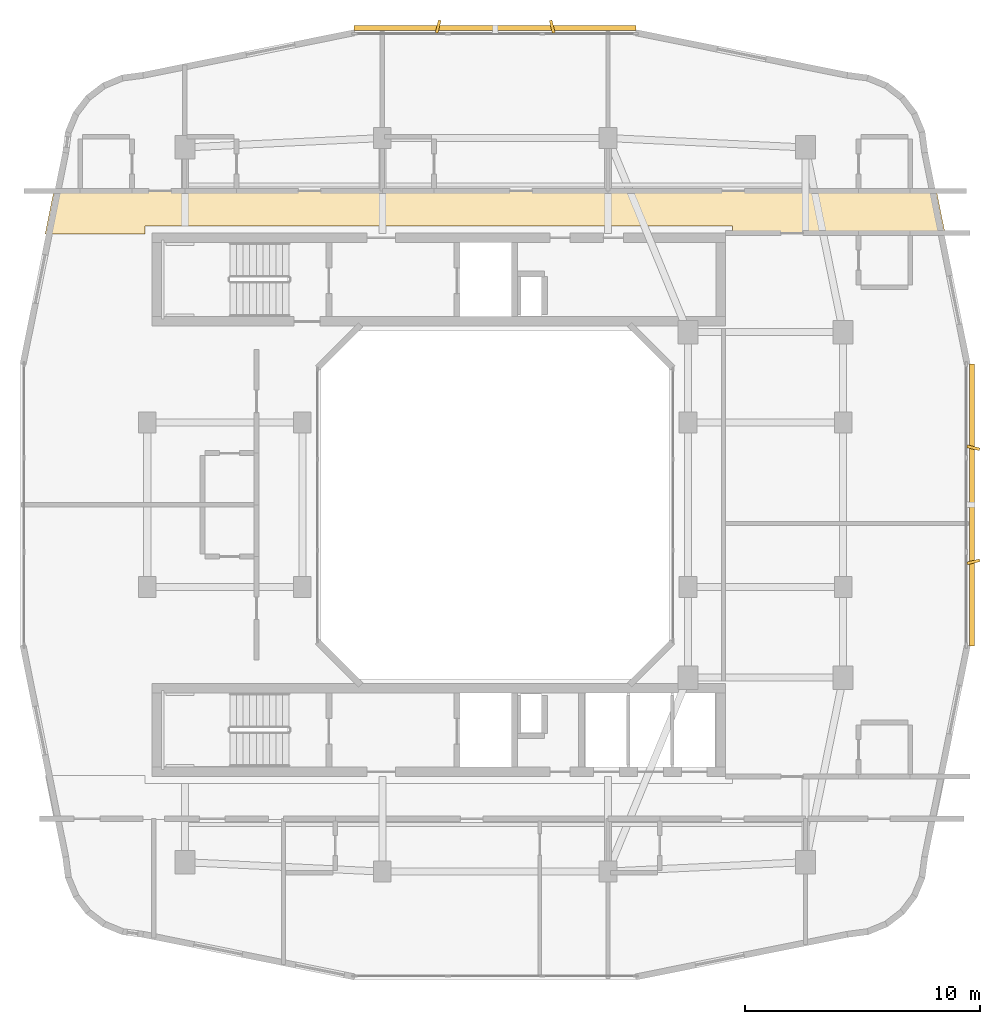
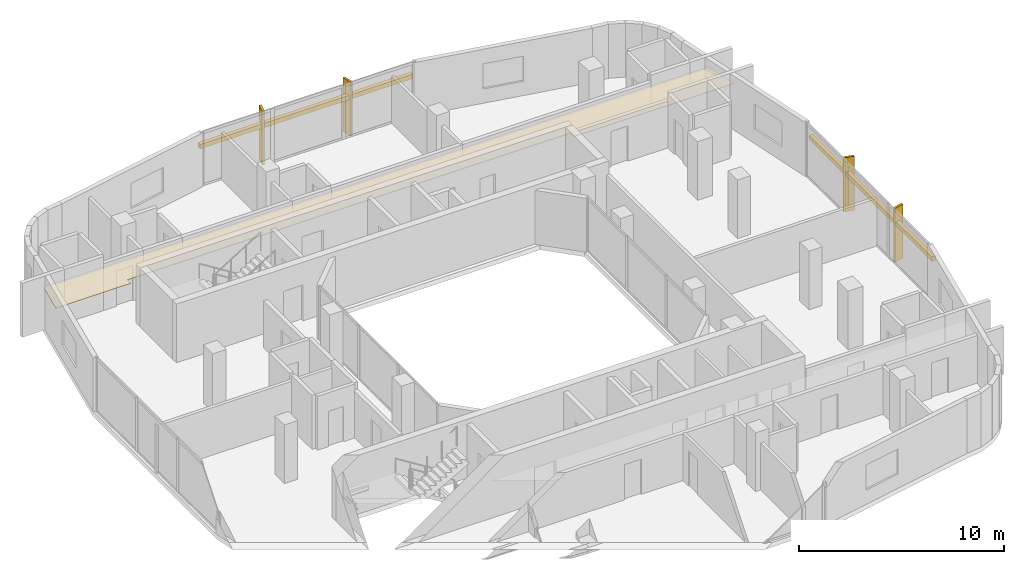
# One storey, part 14 of 14: 6 shading devices, 1 covering.
"""IFC4 building model written with IfcOpenShell, lengths in metres."""

from ifc_helpers import new_model, si_unit, derived_unit, direction, frame, origin, origin_2d, place, context, subcontext, project, spatial, polyline, rectangle, outline, extrude, material, layer, layer_set, type_object, element, save


model = new_model("IFC4")

# Units and contexts
model_context = context("Model", 3, precision=1e-05, world=origin(), true_north=direction((0.0, 1.0)))
body_context = subcontext(model_context, "Body", "Model", "MODEL_VIEW")
ifc_project = project(units=[si_unit("LENGTHUNIT", "METRE"), si_unit("AREAUNIT", "SQUARE_METRE"), si_unit("VOLUMEUNIT", "CUBIC_METRE"), si_unit("PLANEANGLEUNIT", "RADIAN"), si_unit("MASSUNIT", "GRAM", prefix="KILO"), derived_unit("THERMALTRANSMITTANCEUNIT", [(si_unit("POWERUNIT", "WATT"), 1), (si_unit("LENGTHUNIT", "METRE"), -2), (si_unit("THERMODYNAMICTEMPERATUREUNIT", "KELVIN"), -1)])], contexts=[model_context])

# Site, building, storey
site_placement = place(None, origin())
site = spatial("IfcSite", under=ifc_project, at=site_placement, CompositionType="ELEMENT")
building_placement = place(site_placement, origin())
building = spatial("IfcBuilding", under=site, at=building_placement, Name="Kivonza Crest Hotel", CompositionType="ELEMENT")
storey_placement = place(building_placement, frame((0.0, 0.0, 159.0)))
storey = spatial("IfcBuildingStorey", under=building, at=storey_placement, Name="L43", CompositionType="ELEMENT", Elevation=159.0)

# Covering
ifc_material_1 = material(Name="Moisture-resistant gypsum plasterboard ceiling", Category="gypsum")
ifc_layer = layer(ifc_material_1, 0.030029296875)
ifc_layer_set = layer_set([ifc_layer], Name="Moisture-resistant gypsum plasterboard ceiling")
covering_type = type_object("IfcCoveringType", Name="CV-CEIL-GYP", PredefinedType="CEILING", material=ifc_layer_set)
covering_placement = place(storey_placement, frame((0.0, 0.0, 2.449951171875)))
element("IfcCovering", 1, at=covering_placement, inside=storey, type_object=covering_type, Name="L43 Hotel North Guest Corridor suspended ceiling", PredefinedType="CEILING", context=body_context, shape_type="SweptSolid", body=[
    extrude(outline(polyline([(2.235107421875, 38.389892578125), (1.85791015625, 36.52001953125), (6.10009765625, 36.52001953125), (6.10009765625, 36.860107421875), (31.10009765625, 36.860107421875), (31.10009765625, 36.52001953125), (40.14208984375, 36.52001953125), (39.764892578125, 38.389892578125), (2.235107421875, 38.389892578125)])), origin(), (0.0, 0.0, 1.0), 0.030029296875),
])

# Shading devices
ifc_material_2 = material(Name="Kiln-fired Nairobi red-ochre terracotta", Category="masonry")
shading_device_type_1 = type_object("IfcShadingDeviceType", Name="SH-BAGUETTE-300", PredefinedType="USERDEFINED", material=ifc_material_2)
for number, where, z_axis, x_axis, name in (
    (2, (41.280029296875, 25.0, 2.1240234375), (0.0, 0.0, 1.0), (0.0, 1.0, 0.0), "L43 terracotta baguette screen CW-T1-L43-17"),
    (3, (21.0, 45.280029296875, 2.1240234375), (0.0, 0.0, 1.0), (-1.0, 0.0, 0.0), "L43 terracotta baguette screen CW-T1-L43-26"),
):
    element("IfcShadingDevice", number, at=place(storey_placement, frame(where, z_axis=z_axis, x_axis=x_axis)), inside=storey, type_object=shading_device_type_1, Name=name, ObjectType="BAGUETTE", PredefinedType="USERDEFINED", context=body_context, shape_type="SweptSolid", body=[
        extrude(rectangle(XDim=12.0, YDim=0.219970703125, at=origin_2d()), origin(), (0.0, 0.0, 1.0), 0.260009765625),
    ])
ifc_material_3 = material(Name="Kiln-fired terracotta over extruded aluminium spine", Category="masonry")
shading_device_type_2 = type_object("IfcShadingDeviceType", Name="SH-FIN-550", PredefinedType="USERDEFINED", material=ifc_material_3)
for number, where, z_axis, x_axis, name in (
    (4, (41.340087890625, 22.575927734375, 0.0), (0.0, 0.0, 1.0), (-0.2419218956, 0.970295726276, 0.0), "L43 vertical solar shading fin CW-T1-L43-17-1"),
    (5, (41.340087890625, 27.424072265625, 0.0), (0.0, 0.0, 1.0), (0.2419218956, 0.970295726276, 0.0), "L43 vertical solar shading fin CW-T1-L43-17-2"),
    (6, (23.424072265625, 45.340087890625, 0.0), (0.0, 0.0, 1.0), (-0.970295726276, -0.2419218956, 0.0), "L43 vertical solar shading fin CW-T1-L43-26-1"),
    (7, (18.575927734375, 45.340087890625, 0.0), (0.0, 0.0, 1.0), (-0.970295726276, 0.2419218956, 0.0), "L43 vertical solar shading fin CW-T1-L43-26-2"),
):
    element("IfcShadingDevice", number, at=place(storey_placement, frame(where, z_axis=z_axis, x_axis=x_axis)), inside=storey, type_object=shading_device_type_2, Name=name, ObjectType="FIN", PredefinedType="USERDEFINED", context=body_context, shape_type="SweptSolid", body=[
        extrude(rectangle(XDim=0.1201171875, YDim=0.550048828125, at=origin_2d()), origin(), (0.0, 0.0, 1.0), 3.219970703125),
    ])

save(model, "model.ifc")
